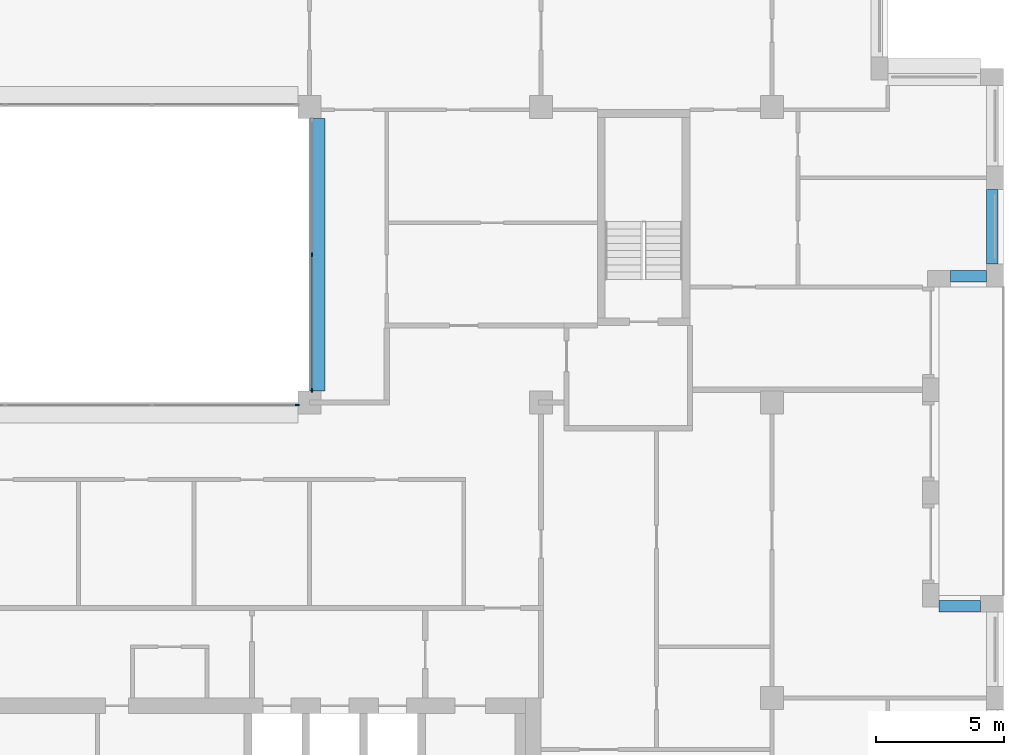
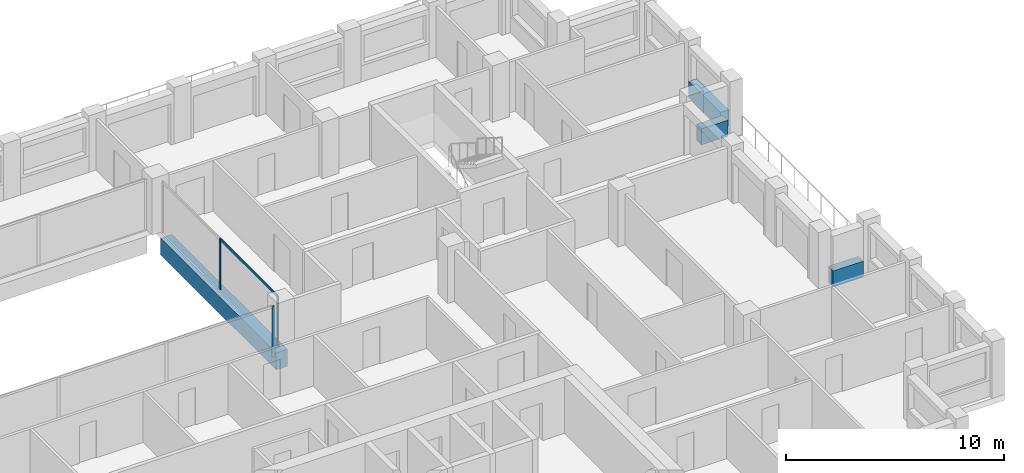
# One storey, part 4 of 15: 4 beams, 4 members, 2 elements without a shape of their own.
"""IFC4 building model written with IfcOpenShell, lengths in metres."""

from ifc_helpers import new_model, si_unit, direction, frame, origin, origin_2d, place, context, subcontext, project, spatial, rectangle, extrude, material, layer, layer_set, material_profile, profile_set, type_object, element, aggregate, save


model = new_model("IFC4")

# Units and contexts
model_context = context("Model", 3, precision=1e-05, world=origin(), true_north=direction((0.0, 1.0)))
body_context = subcontext(model_context, "Body", "Model", "MODEL_VIEW")
ifc_project = project(units=[si_unit("LENGTHUNIT", "METRE"), si_unit("AREAUNIT", "SQUARE_METRE"), si_unit("VOLUMEUNIT", "CUBIC_METRE"), si_unit("PLANEANGLEUNIT", "RADIAN"), si_unit("MASSUNIT", "GRAM", prefix="KILO")], contexts=[model_context])

# Site, building, storey
site_placement = place(None, origin())
site = spatial("IfcSite", under=ifc_project, at=site_placement, CompositionType="ELEMENT")
building_placement = place(site_placement, origin())
building = spatial("IfcBuilding", under=site, at=building_placement, Name="Brigalow Station Residences", CompositionType="ELEMENT")
storey_placement = place(building_placement, frame((0.0, 0.0, 223.199951171875)))
storey = spatial("IfcBuildingStorey", under=building, at=storey_placement, Name="L64", CompositionType="ELEMENT", Elevation=223.199951171875)

# Beam
ifc_material_1 = material(Name="Concrete C65", Category="concrete")
ifc_material_profile_1 = material_profile(ifc_material_1, rectangle(XDim=0.60009765625, YDim=0.949951171875, at=origin_2d()), Name="RC600x950")
ifc_profile_set_1 = profile_set([ifc_material_profile_1], Name="Concrete C65")
beam_type_1 = type_object("IfcBeamType", Name="ATRIUM EDGE GIRDER 600x950 C65", PredefinedType="BEAM", material=ifc_profile_set_1)
beam_1_placement = place(storey_placement, frame((45.300048828125, 24.449951171875, -0.794921875), z_axis=(0.0, 1.0, 0.0), x_axis=(-1.0, 0.0, 0.0)))
element("IfcBeam", 1, at=beam_1_placement, inside=storey, type_object=beam_type_1, Name="ATRIUM EDGE GIRDER 5 L64", PredefinedType="BEAM", context=body_context, shape_type="SweptSolid", body=[
    extrude(rectangle(XDim=0.60009765625, YDim=0.949951171875, at=origin_2d()), origin(), (0.0, 0.0, 1.0), 10.60009765625),
])

# Curtain wall, member
ifc_material_2 = material(Name="Aluminium", Category="aluminium")
ifc_layer = layer(ifc_material_2, 0.14990234375)
ifc_layer_set = layer_set([ifc_layer], Name="ATRIUM FIRE-RATED GLAZING CURTAIN WALL")
curtain_wall_type = type_object("IfcCurtainWallType", Name="ATRIUM FIRE-RATED GLAZING CURTAIN WALL", PredefinedType="NOTDEFINED", material=ifc_layer_set)
curtain_wall_1_placement = place(storey_placement, origin())
curtain_wall_1 = element("IfcCurtainWall", 2, at=curtain_wall_1_placement, inside=storey, type_object=curtain_wall_type, Name="L64/cw/atrium-S", PredefinedType="NOTDEFINED")
ifc_material_3 = material(Name="Aluminium", Category="aluminium")
ifc_material_profile_2 = material_profile(ifc_material_3, rectangle(XDim=0.06005859375, YDim=0.14990234375, at=origin_2d()), Name="ATRIUM FIRE-RATED GLAZING MULLION 60x150")
ifc_profile_set_2 = profile_set([ifc_material_profile_2], Name="Aluminium")
member_type_1 = type_object("IfcMemberType", Name="ATRIUM FIRE-RATED GLAZING MULLION 60x150", PredefinedType="MULLION", material=ifc_profile_set_2)
member_1_placement = place(storey_placement, frame((44.52001953125, 23.89990234375, 0.0), z_axis=(0.0, 0.0, 1.0), x_axis=(0.0, 1.0, 0.0)))
member_1 = element("IfcMember", 3, at=member_1_placement, type_object=member_type_1, Name="L64/cw/atrium-S/M03", PredefinedType="MULLION", context=body_context, shape_type="SweptSolid", body=[
    extrude(rectangle(XDim=0.06005859375, YDim=0.14990234375, at=origin_2d()), origin(), (0.0, 0.0, 1.0), 2.830078125),
])
aggregate(curtain_wall_1, [member_1])

# Curtain wall, members
curtain_wall_2_placement = place(storey_placement, origin())
curtain_wall_2 = element("IfcCurtainWall", 4, at=curtain_wall_2_placement, inside=storey, type_object=curtain_wall_type, Name="L64/cw/atrium-E", PredefinedType="NOTDEFINED")
member_2_placement = place(storey_placement, frame((45.10009765625, 24.47998046875, 0.0), z_axis=(0.0, 0.0, 1.0), x_axis=(-1.0, 0.0, 0.0)))
member_2 = element("IfcMember", 5, at=member_2_placement, type_object=member_type_1, Name="L64/cw/atrium-E/M00", PredefinedType="MULLION", context=body_context, shape_type="SweptSolid", body=[
    extrude(rectangle(XDim=0.06005859375, YDim=0.14990234375, at=origin_2d()), origin(), (0.0, 0.0, 1.0), 2.830078125),
])
member_3_placement = place(storey_placement, frame((45.10009765625, 29.75, 0.0), z_axis=(0.0, 0.0, 1.0), x_axis=(-1.0, 0.0, 0.0)))
member_3 = element("IfcMember", 6, at=member_3_placement, type_object=member_type_1, Name="L64/cw/atrium-E/M01", PredefinedType="MULLION", context=body_context, shape_type="SweptSolid", body=[
    extrude(rectangle(XDim=0.06005859375, YDim=0.14990234375, at=origin_2d()), origin(), (0.0, 0.0, 1.0), 2.830078125),
])
ifc_material_4 = material(Name="Aluminium", Category="aluminium")
ifc_material_profile_3 = material_profile(ifc_material_4, rectangle(XDim=0.06005859375, YDim=0.1201171875, at=origin_2d()), Name="ATRIUM FIRE-RATED GLAZING TRANSOM 60x120")
ifc_profile_set_3 = profile_set([ifc_material_profile_3], Name="Aluminium")
member_type_2 = type_object("IfcMemberType", Name="ATRIUM FIRE-RATED GLAZING TRANSOM 60x120", PredefinedType="USERDEFINED", material=ifc_profile_set_3)
member_4_placement = place(storey_placement, frame((45.10009765625, 24.510009765625, 2.800048828125), z_axis=(0.0, 1.0, 0.0), x_axis=(-1.0, 0.0, 0.0)))
member_4 = element("IfcMember", 7, at=member_4_placement, type_object=member_type_2, Name="L64/cw/atrium-E/T00-00", ObjectType="TRANSOM", PredefinedType="USERDEFINED", context=body_context, shape_type="SweptSolid", body=[
    extrude(rectangle(XDim=0.06005859375, YDim=0.1201171875, at=origin_2d()), origin(), (0.0, 0.0, 1.0), 5.2099609375),
])
aggregate(curtain_wall_2, [member_2, member_3, member_4])

# Beams
ifc_material_5 = material(Name="Concrete C50", Category="concrete")
ifc_material_profile_4 = material_profile(ifc_material_5, rectangle(XDim=0.449951171875, YDim=0.89990234375, at=origin_2d()), Name="RC450x900")
ifc_profile_set_4 = profile_set([ifc_material_profile_4], Name="Concrete C50")
beam_type_2 = type_object("IfcBeamType", Name="SPANDREL BEAM 450x900 C50", PredefinedType="SPANDREL", material=ifc_profile_set_4)
beam_2_placement = place(storey_placement, frame((71.10009765625, 16.074951171875, 0.449951171875), z_axis=(-1.0, 0.0, 0.0), x_axis=(0.0, -1.0, 0.0)))
element("IfcBeam", 8, at=beam_2_placement, inside=storey, type_object=beam_type_2, Name="L64/spandrel/W-L64-11", PredefinedType="SPANDREL", context=body_context, shape_type="SweptSolid", body=[
    extrude(rectangle(XDim=0.449951171875, YDim=0.89990234375, at=origin_2d()), origin(), (0.0, 0.0, 1.0), 1.60009765625),
])
beam_3_placement = place(storey_placement, frame((69.949951171875, 28.925048828125, 0.449951171875), z_axis=(1.0, 0.0, 0.0), x_axis=(0.0, 1.0, 0.0)))
element("IfcBeam", 9, at=beam_3_placement, inside=storey, type_object=beam_type_2, Name="L64/spandrel/W-L64-15", PredefinedType="SPANDREL", context=body_context, shape_type="SweptSolid", body=[
    extrude(rectangle(XDim=0.449951171875, YDim=0.89990234375, at=origin_2d()), origin(), (0.0, 0.0, 1.0), 1.400146484375),
])
beam_4_placement = place(storey_placement, frame((71.574951171875, 29.39990234375, 0.449951171875), z_axis=(0.0, 1.0, 0.0), x_axis=(-1.0, 0.0, 0.0)))
element("IfcBeam", 10, at=beam_4_placement, inside=storey, type_object=beam_type_2, Name="L64/spandrel/W-L64-16", PredefinedType="SPANDREL", context=body_context, shape_type="SweptSolid", body=[
    extrude(rectangle(XDim=0.449951171875, YDim=0.89990234375, at=origin_2d()), origin(), (0.0, 0.0, 1.0), 2.900146484375),
])

save(model, "model.ifc")
